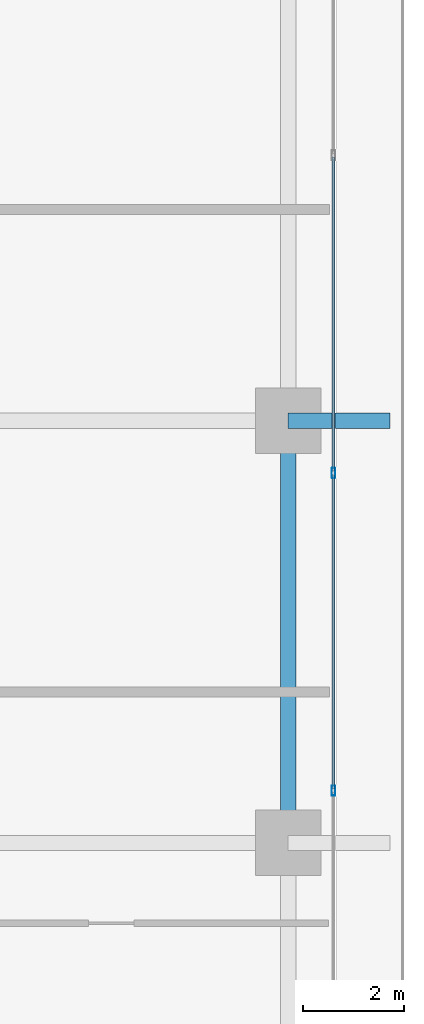
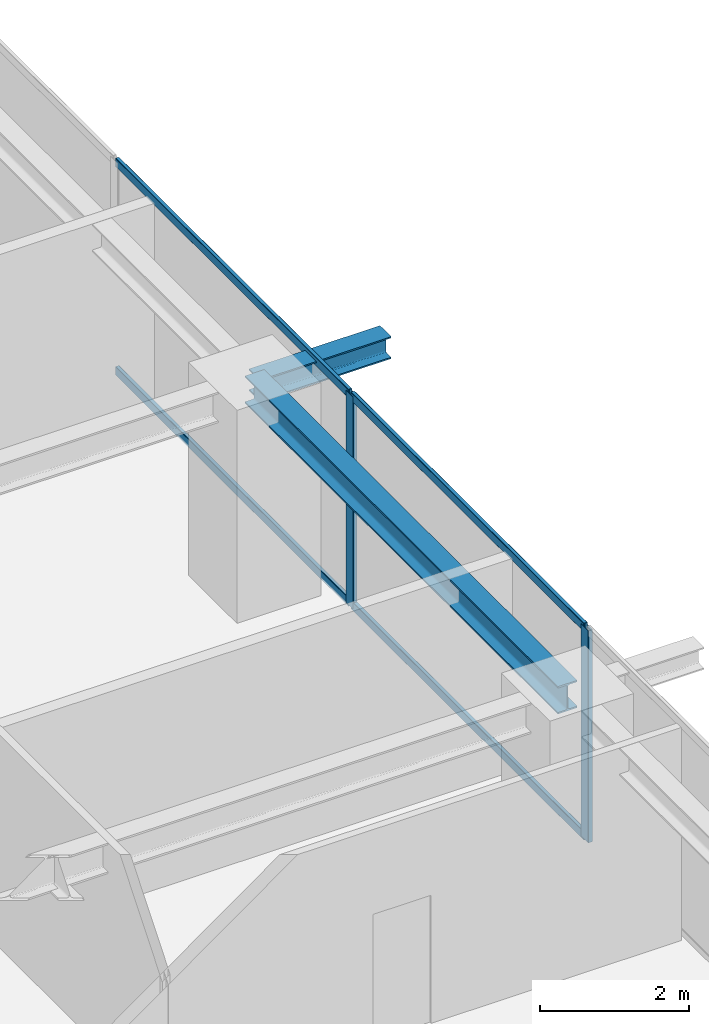
# One storey, part 16 of 38: 6 members, 2 beams, 1 element without a shape of its own.
"""IFC4 building model written with IfcOpenShell, lengths in metres."""

from ifc_helpers import new_model, si_unit, direction, frame, origin, origin_2d, place, context, subcontext, project, spatial, hollow_rectangle, i_section, extrude, source, transform, mapped, material, layer, layer_set, material_profile, profile_set, type_object, element, aggregate, save


model = new_model("IFC4")

# Units and contexts
model_context = context("Model", 3, precision=1e-05, world=origin(), true_north=direction((0.0, 1.0)))
body_context = subcontext(model_context, "Body", "Model", "MODEL_VIEW")
ifc_project = project(units=[si_unit("LENGTHUNIT", "METRE"), si_unit("AREAUNIT", "SQUARE_METRE"), si_unit("VOLUMEUNIT", "CUBIC_METRE"), si_unit("PLANEANGLEUNIT", "RADIAN"), si_unit("MASSUNIT", "GRAM", prefix="KILO")], contexts=[model_context])

# Site, building, storey
site_placement = place(None, origin())
site = spatial("IfcSite", under=ifc_project, at=site_placement, CompositionType="ELEMENT")
building_placement = place(site_placement, origin())
building = spatial("IfcBuilding", under=site, at=building_placement, Name="Serunith Strait Residences", CompositionType="ELEMENT")
storey_placement = place(building_placement, frame((0.0, 0.0, 183.89990234375)))
storey = spatial("IfcBuildingStorey", under=building, at=storey_placement, Name="L46", CompositionType="ELEMENT", Elevation=183.89990234375)

# Beams
ifc_material_1 = material(Name="Steel S355J2", Category="steel")
ifc_material_profile_1 = material_profile(ifc_material_1, i_section(OverallWidth=0.300048828125, OverallDepth=0.449951171875, WebThickness=0.013916015625, FlangeThickness=0.02587890625, FilletRadius=0.027099609375, at=origin_2d()), Name="HEB 450")
ifc_profile_set_1 = profile_set([ifc_material_profile_1], Name="Steel S355J2")
beam_type_1 = type_object("IfcBeamType", Name="BM-HEB450", PredefinedType="BEAM", material=ifc_profile_set_1)
shared_shape_1 = source(origin(), body_context, "Body", "SweptSolid", [
    extrude(i_section(OverallWidth=0.300048828125, OverallDepth=0.449951171875, WebThickness=0.013916015625, FlangeThickness=0.02587890625, FilletRadius=0.027099609375, at=origin_2d()), origin(), (0.0, 0.0, 1.0), 8.39990234375),
])
beam_1_placement = place(storey_placement, frame((56.10009765625, 21.0, 3.26220703125), z_axis=(0.0, 1.0, 0.0), x_axis=(-1.0, 0.0, 0.0)))
element("IfcBeam", 1, at=beam_1_placement, inside=storey, type_object=beam_type_1, Name="L46 Perimeter Ring Beam 06", PredefinedType="BEAM", context=body_context, shape_type="MappedRepresentation", body=[
    mapped(shared_shape_1, transform((0.0, 0.0, 0.0), scale=1.0)),
])
ifc_material_profile_2 = material_profile(ifc_material_1, i_section(OverallWidth=0.300048828125, OverallDepth=0.360107421875, WebThickness=0.012451171875, FlangeThickness=0.0224609375, FilletRadius=0.027099609375, at=origin_2d()), Name="HEB 360")
ifc_profile_set_2 = profile_set([ifc_material_profile_2], Name="Steel S355J2")
beam_type_2 = type_object("IfcBeamType", Name="BM-HEB360", PredefinedType="BEAM", material=ifc_profile_set_2)
shared_shape_2 = source(origin(), body_context, "Body", "SweptSolid", [
    extrude(i_section(OverallWidth=0.300048828125, OverallDepth=0.360107421875, WebThickness=0.012451171875, FlangeThickness=0.0224609375, FilletRadius=0.027099609375, at=origin_2d()), origin(), (0.0, 0.0, 1.0), 2.02978515625),
])
beam_2_placement = place(storey_placement, frame((56.10009765625, 29.39990234375, 3.277099609375), z_axis=(1.0, 0.0, 0.0), x_axis=(0.0, 1.0, 0.0)))
element("IfcBeam", 2, at=beam_2_placement, inside=storey, type_object=beam_type_2, Name="L47 Cantilevered Balcony Rib TC-E3", PredefinedType="BEAM", context=body_context, shape_type="MappedRepresentation", body=[
    mapped(shared_shape_2, transform((0.0, 0.0, 0.0), scale=1.0)),
])

# Curtain wall, members
ifc_material_2 = material(Name="Pale-Champagne Anodised Aluminium", Category="aluminium")
ifc_layer = layer(ifc_material_2, 0.199951171875, Name="Pale-Champagne Anodised Aluminium")
ifc_layer_set = layer_set([ifc_layer], Name="Pale-Champagne Anodised Aluminium")
curtain_wall_type = type_object("IfcCurtainWallType", Name="CW-SYS2", PredefinedType="NOTDEFINED", material=ifc_layer_set)
curtain_wall_placement = place(storey_placement, origin())
curtain_wall = element("IfcCurtainWall", 3, at=curtain_wall_placement, inside=storey, type_object=curtain_wall_type, Name="L46 E Unitised Fritted Curtain Wall", PredefinedType="NOTDEFINED")
ifc_material_profile_3 = material_profile(ifc_material_2, hollow_rectangle(XDim=0.070068359375, YDim=0.199951171875, WallThickness=0.00390625, InnerFilletRadius=0.006103515625, OuterFilletRadius=0.010009765625, at=origin_2d()), Name="ALU 200x70x4")
ifc_profile_set_3 = profile_set([ifc_material_profile_3], Name="Pale-Champagne Anodised Aluminium")
member_type_1 = type_object("IfcMemberType", Name="CW-SYS2-MULL", PredefinedType="MULLION", material=ifc_profile_set_3)
shared_shape_3 = source(origin(), body_context, "Body", "SweptSolid", [
    extrude(hollow_rectangle(XDim=0.070068359375, YDim=0.199951171875, WallThickness=0.00390625, InnerFilletRadius=0.006103515625, OuterFilletRadius=0.010009765625, at=origin_2d()), origin(), (0.0, 0.0, 1.0), 3.47509765625),
])
member_1_placement = place(storey_placement, frame((57.0, 22.0400390625, 0.0), z_axis=(0.0, 0.0, 1.0), x_axis=(-1.0, 0.0, 0.0)))
member_1 = element("IfcMember", 4, at=member_1_placement, type_object=member_type_1, Name="CW-2 mullion 3", PredefinedType="MULLION", context=body_context, shape_type="MappedRepresentation", body=[
    mapped(shared_shape_3, transform((0.0, 0.0, 0.0), scale=1.0)),
])
member_2_placement = place(storey_placement, frame((57.0, 28.360107421875, 0.0), z_axis=(0.0, 0.0, 1.0), x_axis=(-1.0, 0.0, 0.0)))
member_2 = element("IfcMember", 5, at=member_2_placement, type_object=member_type_1, Name="CW-2 mullion 4", PredefinedType="MULLION", context=body_context, shape_type="MappedRepresentation", body=[
    mapped(shared_shape_3, transform((0.0, 0.0, 0.0), scale=1.0)),
])
ifc_material_profile_4 = material_profile(ifc_material_2, hollow_rectangle(XDim=0.06005859375, YDim=0.139892578125, WallThickness=0.00341796875, InnerFilletRadius=0.00537109375, OuterFilletRadius=0.0087890625, at=origin_2d()), Name="ALU 140x60x3.5")
ifc_profile_set_4 = profile_set([ifc_material_profile_4], Name="Pale-Champagne Anodised Aluminium")
member_type_2 = type_object("IfcMemberType", Name="CW-SYS2-TRAN", PredefinedType="USERDEFINED", material=ifc_profile_set_4)
shared_shape_4 = source(origin(), body_context, "Body", "SweptSolid", [
    extrude(hollow_rectangle(XDim=0.06005859375, YDim=0.139892578125, WallThickness=0.00341796875, InnerFilletRadius=0.00537109375, OuterFilletRadius=0.0087890625, at=origin_2d()), origin(), (0.0, 0.0, 1.0), 6.25),
])
member_3_placement = place(storey_placement, frame((57.0, 22.074951171875, 0.030029296875), z_axis=(0.0, 1.0, 0.0), x_axis=(-1.0, 0.0, 0.0)))
member_3 = element("IfcMember", 6, at=member_3_placement, type_object=member_type_2, Name="CW-2 transom 3.1", ObjectType="TRANSOM", PredefinedType="USERDEFINED", context=body_context, shape_type="MappedRepresentation", body=[
    mapped(shared_shape_4, transform((0.0, 0.0, 0.0), scale=1.0)),
])
member_4_placement = place(storey_placement, frame((57.0, 22.074951171875, 3.445068359375), z_axis=(0.0, 1.0, 0.0), x_axis=(-1.0, 0.0, 0.0)))
member_4 = element("IfcMember", 7, at=member_4_placement, type_object=member_type_2, Name="CW-2 transom 3.2", ObjectType="TRANSOM", PredefinedType="USERDEFINED", context=body_context, shape_type="MappedRepresentation", body=[
    mapped(shared_shape_4, transform((0.0, 0.0, 0.0), scale=1.0)),
])
member_5_placement = place(storey_placement, frame((57.0, 28.39501953125, 0.030029296875), z_axis=(0.0, 1.0, 0.0), x_axis=(-1.0, 0.0, 0.0)))
member_5 = element("IfcMember", 8, at=member_5_placement, type_object=member_type_2, Name="CW-2 transom 4.1", ObjectType="TRANSOM", PredefinedType="USERDEFINED", context=body_context, shape_type="MappedRepresentation", body=[
    mapped(shared_shape_4, transform((0.0, 0.0, 0.0), scale=1.0)),
])
member_6_placement = place(storey_placement, frame((57.0, 28.39501953125, 3.445068359375), z_axis=(0.0, 1.0, 0.0), x_axis=(-1.0, 0.0, 0.0)))
member_6 = element("IfcMember", 9, at=member_6_placement, type_object=member_type_2, Name="CW-2 transom 4.2", ObjectType="TRANSOM", PredefinedType="USERDEFINED", context=body_context, shape_type="MappedRepresentation", body=[
    mapped(shared_shape_4, transform((0.0, 0.0, 0.0), scale=1.0)),
])
aggregate(curtain_wall, [member_1, member_2, member_3, member_4, member_5, member_6])

save(model, "model.ifc")
